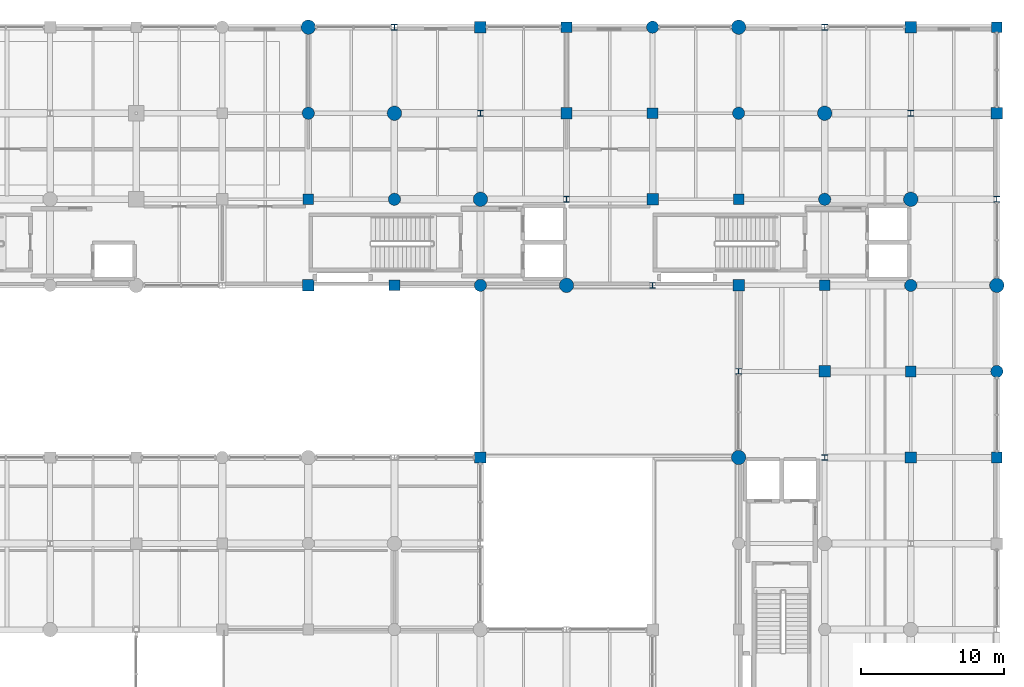
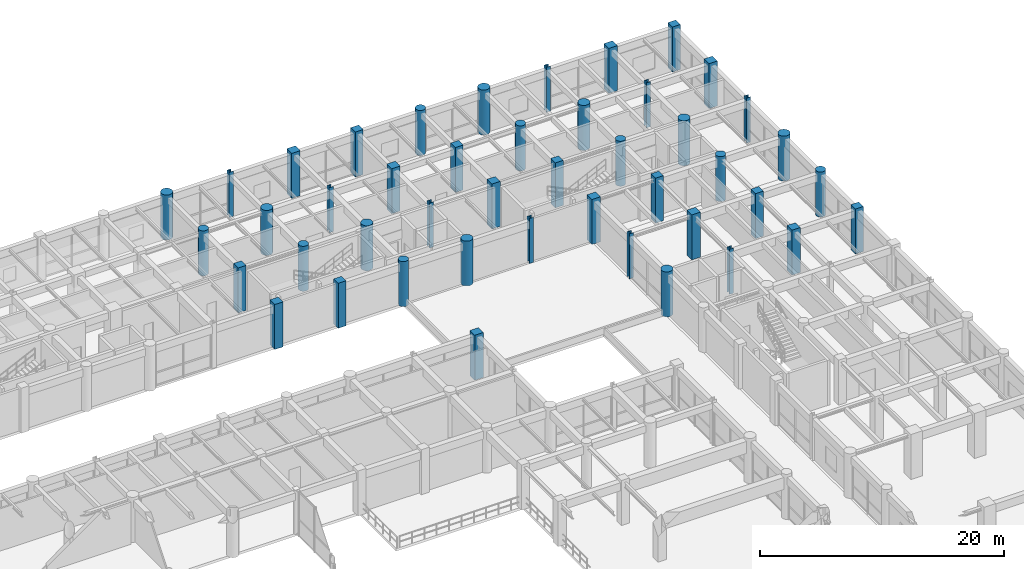
# One storey, part 17 of 133: 45 columns.
"""IFC4 building model written with IfcOpenShell, lengths in metres."""

from ifc_helpers import new_model, si_unit, direction, frame, origin, origin_2d, place, context, subcontext, project, spatial, rectangle, circle, i_section, extrude, material, material_profile, profile_set, type_object, element, save


model = new_model("IFC4")

# Units and contexts
model_context = context("Model", 3, precision=1e-05, world=origin(), true_north=direction((0.0, 1.0)))
body_context = subcontext(model_context, "Body", "Model", "MODEL_VIEW")
ifc_project = project(units=[si_unit("LENGTHUNIT", "METRE"), si_unit("AREAUNIT", "SQUARE_METRE"), si_unit("VOLUMEUNIT", "CUBIC_METRE"), si_unit("PLANEANGLEUNIT", "RADIAN"), si_unit("MASSUNIT", "GRAM", prefix="KILO"), si_unit("THERMODYNAMICTEMPERATUREUNIT", "KELVIN"), si_unit("POWERUNIT", "WATT")], contexts=[model_context])

# Site, building, storey
site_placement = place(None, origin())
site = spatial("IfcSite", under=ifc_project, at=site_placement, CompositionType="ELEMENT")
building_placement = place(site_placement, origin())
building = spatial("IfcBuilding", under=site, at=building_placement, Name="Phaisarnlok Congress Hotel", CompositionType="ELEMENT")
storey_placement = place(building_placement, frame((0.0, 0.0, 6.0)))
storey = spatial("IfcBuildingStorey", under=building, at=storey_placement, Name="L01", CompositionType="ELEMENT", Elevation=6.0)

# Columns
ifc_material_1 = material(Name="Concrete C50/60", Category="concrete")
ifc_material_profile_1 = material_profile(ifc_material_1, rectangle(XDim=0.75, YDim=0.75, at=origin_2d()), Name="RC 750x750")
ifc_profile_set_1 = profile_set([ifc_material_profile_1], Name="Concrete C50/60")
column_type_1 = type_object("IfcColumnType", Name="COL-RC-750", PredefinedType="COLUMN", material=ifc_profile_set_1)
for number, where, z_axis, x_axis, name in (
    (1, (132.0, 114.0, 0.0), (0.0, 0.0, 1.0), (1.0, 0.0, 0.0), "Column C-06 (L01)"),
    (2, (138.0, 108.0, 0.0), (0.0, 0.0, 1.0), (1.0, 0.0, 0.0), "Column C-06 (L01)"),
    (3, (156.0, 120.0, 0.0), (0.0, 0.0, 1.0), (1.0, 0.0, 0.0), "Column C-06 (L01)"),
    (4, (162.0, 114.0, 0.0), (0.0, 0.0, 1.0), (1.0, 0.0, 0.0), "Column C-06 (L01)"),
    (5, (168.0, 108.0, 0.0), (0.0, 0.0, 1.0), (1.0, 0.0, 0.0), "Column C-06 (L01)"),
    (6, (174.0, 102.0, 0.0), (0.0, 0.0, 1.0), (1.0, 0.0, 0.0), "Column C-06 (L01)"),
):
    element("IfcColumn", number, at=place(storey_placement, frame(where, z_axis=z_axis, x_axis=x_axis)), inside=storey, type_object=column_type_1, Name=name, PredefinedType="COLUMN", context=body_context, shape_type="SweptSolid", body=[
        extrude(rectangle(XDim=0.75, YDim=0.75, at=origin_2d()), origin(), (0.0, 0.0, 1.0), 4.5),
    ])
ifc_material_profile_2 = material_profile(ifc_material_1, rectangle(XDim=0.75, YDim=0.75, at=origin_2d()), Name="RC 750x750")
ifc_profile_set_2 = profile_set([ifc_material_profile_2], Name="Concrete C50/60")
column_type_2 = type_object("IfcColumnType", Name="COL-RC-750-EXT", PredefinedType="COLUMN", material=ifc_profile_set_2)
for number, where, z_axis, x_axis, name in (
    (7, (150.0, 126.0, 0.0), (0.0, 0.0, 1.0), (1.0, 0.0, 0.0), "Column C-06E (L01)"),
    (8, (180.0, 96.0, 0.0), (0.0, 0.0, 1.0), (1.0, 0.0, 0.0), "Column C-06E (L01)"),
    (9, (180.0, 126.0, 0.0), (0.0, 0.0, 1.0), (1.0, 0.0, 0.0), "Column C-06E (L01)"),
):
    element("IfcColumn", number, at=place(storey_placement, frame(where, z_axis=z_axis, x_axis=x_axis)), inside=storey, type_object=column_type_2, Name=name, PredefinedType="COLUMN", context=body_context, shape_type="SweptSolid", body=[
        extrude(rectangle(XDim=0.75, YDim=0.75, at=origin_2d()), origin(), (0.0, 0.0, 1.0), 4.5),
    ])
ifc_material_profile_3 = material_profile(ifc_material_1, rectangle(XDim=0.800048828125, YDim=0.800048828125, at=origin_2d()), Name="RC 800x800")
ifc_profile_set_3 = profile_set([ifc_material_profile_3], Name="Concrete C50/60")
column_type_3 = type_object("IfcColumnType", Name="COL-RC-800", PredefinedType="COLUMN", material=ifc_profile_set_3)
for number, where, z_axis, x_axis, name in (
    (10, (132.0, 108.0, 0.0), (0.0, 0.0, 1.0), (1.0, 0.0, 0.0), "Column C-07 (L01)"),
    (11, (144.0, 96.0, 0.0), (0.0, 0.0, 1.0), (1.0, 0.0, 0.0), "Column C-07 (L01)"),
    (12, (150.0, 120.0, 0.0), (0.0, 0.0, 1.0), (1.0, 0.0, 0.0), "Column C-07 (L01)"),
    (13, (156.0, 114.0, 0.0), (0.0, 0.0, 1.0), (1.0, 0.0, 0.0), "Column C-07 (L01)"),
    (14, (162.0, 108.0, 0.0), (0.0, 0.0, 1.0), (1.0, 0.0, 0.0), "Column C-07 (L01)"),
    (15, (168.0, 102.0, 0.0), (0.0, 0.0, 1.0), (1.0, 0.0, 0.0), "Column C-07 (L01)"),
    (16, (174.0, 96.0, 0.0), (0.0, 0.0, 1.0), (1.0, 0.0, 0.0), "Column C-07 (L01)"),
):
    element("IfcColumn", number, at=place(storey_placement, frame(where, z_axis=z_axis, x_axis=x_axis)), inside=storey, type_object=column_type_3, Name=name, PredefinedType="COLUMN", context=body_context, shape_type="SweptSolid", body=[
        extrude(rectangle(XDim=0.800048828125, YDim=0.800048828125, at=origin_2d()), origin(), (0.0, 0.0, 1.0), 4.5),
    ])
ifc_material_profile_4 = material_profile(ifc_material_1, rectangle(XDim=0.800048828125, YDim=0.800048828125, at=origin_2d()), Name="RC 800x800")
ifc_profile_set_4 = profile_set([ifc_material_profile_4], Name="Concrete C50/60")
column_type_4 = type_object("IfcColumnType", Name="COL-RC-800-EXT", PredefinedType="COLUMN", material=ifc_profile_set_4)
for number, where, z_axis, x_axis, name in (
    (17, (144.0, 126.0, 0.0), (0.0, 0.0, 1.0), (1.0, 0.0, 0.0), "Column C-07E (L01)"),
    (18, (174.0, 126.0, 0.0), (0.0, 0.0, 1.0), (1.0, 0.0, 0.0), "Column C-07E (L01)"),
    (19, (180.0, 120.0, 0.0), (0.0, 0.0, 1.0), (1.0, 0.0, 0.0), "Column C-07E (L01)"),
):
    element("IfcColumn", number, at=place(storey_placement, frame(where, z_axis=z_axis, x_axis=x_axis)), inside=storey, type_object=column_type_4, Name=name, PredefinedType="COLUMN", context=body_context, shape_type="SweptSolid", body=[
        extrude(rectangle(XDim=0.800048828125, YDim=0.800048828125, at=origin_2d()), origin(), (0.0, 0.0, 1.0), 4.5),
    ])
ifc_material_profile_5 = material_profile(ifc_material_1, circle(Radius=0.5, at=origin_2d()), Name="RCC D1000")
ifc_profile_set_5 = profile_set([ifc_material_profile_5], Name="Concrete C50/60")
column_type_5 = type_object("IfcColumnType", Name="COL-RCC-1000", PredefinedType="COLUMN", material=ifc_profile_set_5)
for number, where, z_axis, x_axis, name in (
    (20, (138.0, 120.0, 0.0), (0.0, 0.0, 1.0), (1.0, 0.0, 0.0), "Column C-15 (L01)"),
    (21, (144.0, 114.0, 0.0), (0.0, 0.0, 1.0), (1.0, 0.0, 0.0), "Column C-15 (L01)"),
    (22, (150.0, 108.0, 0.0), (0.0, 0.0, 1.0), (1.0, 0.0, 0.0), "Column C-15 (L01)"),
    (23, (162.0, 96.0, 0.0), (0.0, 0.0, 1.0), (1.0, 0.0, 0.0), "Column C-15 (L01)"),
    (24, (168.0, 120.0, 0.0), (0.0, 0.0, 1.0), (1.0, 0.0, 0.0), "Column C-15 (L01)"),
    (25, (174.0, 114.0, 0.0), (0.0, 0.0, 1.0), (1.0, 0.0, 0.0), "Column C-15 (L01)"),
):
    element("IfcColumn", number, at=place(storey_placement, frame(where, z_axis=z_axis, x_axis=x_axis)), inside=storey, type_object=column_type_5, Name=name, PredefinedType="COLUMN", context=body_context, shape_type="SweptSolid", body=[
        extrude(circle(Radius=0.5, at=origin_2d()), origin(), (0.0, 0.0, 1.0), 4.5),
    ])
ifc_material_profile_6 = material_profile(ifc_material_1, circle(Radius=0.5, at=origin_2d()), Name="RCC D1000")
ifc_profile_set_6 = profile_set([ifc_material_profile_6], Name="Concrete C50/60")
column_type_6 = type_object("IfcColumnType", Name="COL-RCC-1000-EXT", PredefinedType="COLUMN", material=ifc_profile_set_6)
for number, where, z_axis, x_axis, name in (
    (26, (132.0, 126.0, 0.0), (0.0, 0.0, 1.0), (1.0, 0.0, 0.0), "Column C-15E (L01)"),
    (27, (162.0, 126.0, 0.0), (0.0, 0.0, 1.0), (1.0, 0.0, 0.0), "Column C-15E (L01)"),
    (28, (180.0, 108.0, 0.0), (0.0, 0.0, 1.0), (1.0, 0.0, 0.0), "Column C-15E (L01)"),
):
    element("IfcColumn", number, at=place(storey_placement, frame(where, z_axis=z_axis, x_axis=x_axis)), inside=storey, type_object=column_type_6, Name=name, PredefinedType="COLUMN", context=body_context, shape_type="SweptSolid", body=[
        extrude(circle(Radius=0.5, at=origin_2d()), origin(), (0.0, 0.0, 1.0), 4.5),
    ])
ifc_material_profile_7 = material_profile(ifc_material_1, circle(Radius=0.425048828125, at=origin_2d()), Name="RCC D850")
ifc_profile_set_7 = profile_set([ifc_material_profile_7], Name="Concrete C50/60")
column_type_7 = type_object("IfcColumnType", Name="COL-RCC-850", PredefinedType="COLUMN", material=ifc_profile_set_7)
for number, where, z_axis, x_axis, name in (
    (29, (132.0, 120.0, 0.0), (0.0, 0.0, 1.0), (1.0, 0.0, 0.0), "Column C-14 (L01)"),
    (30, (138.0, 114.0, 0.0), (0.0, 0.0, 1.0), (1.0, 0.0, 0.0), "Column C-14 (L01)"),
    (31, (144.0, 108.0, 0.0), (0.0, 0.0, 1.0), (1.0, 0.0, 0.0), "Column C-14 (L01)"),
    (32, (162.0, 120.0, 0.0), (0.0, 0.0, 1.0), (1.0, 0.0, 0.0), "Column C-14 (L01)"),
    (33, (168.0, 114.0, 0.0), (0.0, 0.0, 1.0), (1.0, 0.0, 0.0), "Column C-14 (L01)"),
    (34, (174.0, 108.0, 0.0), (0.0, 0.0, 1.0), (1.0, 0.0, 0.0), "Column C-14 (L01)"),
):
    element("IfcColumn", number, at=place(storey_placement, frame(where, z_axis=z_axis, x_axis=x_axis)), inside=storey, type_object=column_type_7, Name=name, PredefinedType="COLUMN", context=body_context, shape_type="SweptSolid", body=[
        extrude(circle(Radius=0.425048828125, at=origin_2d()), origin(), (0.0, 0.0, 1.0), 4.5),
    ])
ifc_material_profile_8 = material_profile(ifc_material_1, circle(Radius=0.425048828125, at=origin_2d()), Name="RCC D850")
ifc_profile_set_8 = profile_set([ifc_material_profile_8], Name="Concrete C50/60")
column_type_8 = type_object("IfcColumnType", Name="COL-RCC-850-EXT", PredefinedType="COLUMN", material=ifc_profile_set_8)
for number, where, z_axis, x_axis, name in (
    (35, (156.0, 126.0, 0.0), (0.0, 0.0, 1.0), (1.0, 0.0, 0.0), "Column C-14E (L01)"),
    (36, (180.0, 102.0, 0.0), (0.0, 0.0, 1.0), (1.0, 0.0, 0.0), "Column C-14E (L01)"),
):
    element("IfcColumn", number, at=place(storey_placement, frame(where, z_axis=z_axis, x_axis=x_axis)), inside=storey, type_object=column_type_8, Name=name, PredefinedType="COLUMN", context=body_context, shape_type="SweptSolid", body=[
        extrude(circle(Radius=0.425048828125, at=origin_2d()), origin(), (0.0, 0.0, 1.0), 4.5),
    ])
ifc_material_2 = material(Name="Steel S355", Category="steel")
ifc_material_profile_9 = material_profile(ifc_material_2, i_section(OverallWidth=0.40087890625, OverallDepth=0.39892578125, WebThickness=0.0185546875, FlangeThickness=0.030029296875, FilletRadius=0.014892578125, at=origin_2d()), Name="HD 400x314")
ifc_profile_set_9 = profile_set([ifc_material_profile_9], Name="Steel S355")
column_type_9 = type_object("IfcColumnType", Name="COL-STL-HD314", PredefinedType="COLUMN", material=ifc_profile_set_9)
for number, where, z_axis, x_axis, name in (
    (37, (144.0, 120.0, 0.0), (0.0, 0.0, 1.0), (1.0, 0.0, 0.0), "Column SC-04 (L01)"),
    (38, (150.0, 114.0, 0.0), (0.0, 0.0, 1.0), (1.0, 0.0, 0.0), "Column SC-04 (L01)"),
    (39, (156.0, 108.0, 0.0), (0.0, 0.0, 1.0), (1.0, 0.0, 0.0), "Column SC-04 (L01)"),
    (40, (162.0, 102.0, 0.0), (0.0, 0.0, 1.0), (1.0, 0.0, 0.0), "Column SC-04 (L01)"),
    (41, (168.0, 96.0, 0.0), (0.0, 0.0, 1.0), (1.0, 0.0, 0.0), "Column SC-04 (L01)"),
    (42, (174.0, 120.0, 0.0), (0.0, 0.0, 1.0), (1.0, 0.0, 0.0), "Column SC-04 (L01)"),
):
    element("IfcColumn", number, at=place(storey_placement, frame(where, z_axis=z_axis, x_axis=x_axis)), inside=storey, type_object=column_type_9, Name=name, PredefinedType="COLUMN", context=body_context, shape_type="SweptSolid", body=[
        extrude(i_section(OverallWidth=0.40087890625, OverallDepth=0.39892578125, WebThickness=0.0185546875, FlangeThickness=0.030029296875, FilletRadius=0.014892578125, at=origin_2d()), origin(), (0.0, 0.0, 1.0), 4.5),
    ])
ifc_material_profile_10 = material_profile(ifc_material_2, i_section(OverallWidth=0.40087890625, OverallDepth=0.39892578125, WebThickness=0.0185546875, FlangeThickness=0.030029296875, FilletRadius=0.014892578125, at=origin_2d()), Name="HD 400x314")
ifc_profile_set_10 = profile_set([ifc_material_profile_10], Name="Steel S355")
column_type_10 = type_object("IfcColumnType", Name="COL-STL-HD314-EXT", PredefinedType="COLUMN", material=ifc_profile_set_10)
for number, where, z_axis, x_axis, name in (
    (43, (138.0, 126.0, 0.0), (0.0, 0.0, 1.0), (1.0, 0.0, 0.0), "Column SC-04E (L01)"),
    (44, (168.0, 126.0, 0.0), (0.0, 0.0, 1.0), (1.0, 0.0, 0.0), "Column SC-04E (L01)"),
    (45, (180.0, 114.0, 0.0), (0.0, 0.0, 1.0), (1.0, 0.0, 0.0), "Column SC-04E (L01)"),
):
    element("IfcColumn", number, at=place(storey_placement, frame(where, z_axis=z_axis, x_axis=x_axis)), inside=storey, type_object=column_type_10, Name=name, PredefinedType="COLUMN", context=body_context, shape_type="SweptSolid", body=[
        extrude(i_section(OverallWidth=0.40087890625, OverallDepth=0.39892578125, WebThickness=0.0185546875, FlangeThickness=0.030029296875, FilletRadius=0.014892578125, at=origin_2d()), origin(), (0.0, 0.0, 1.0), 4.5),
    ])

save(model, "model.ifc")
